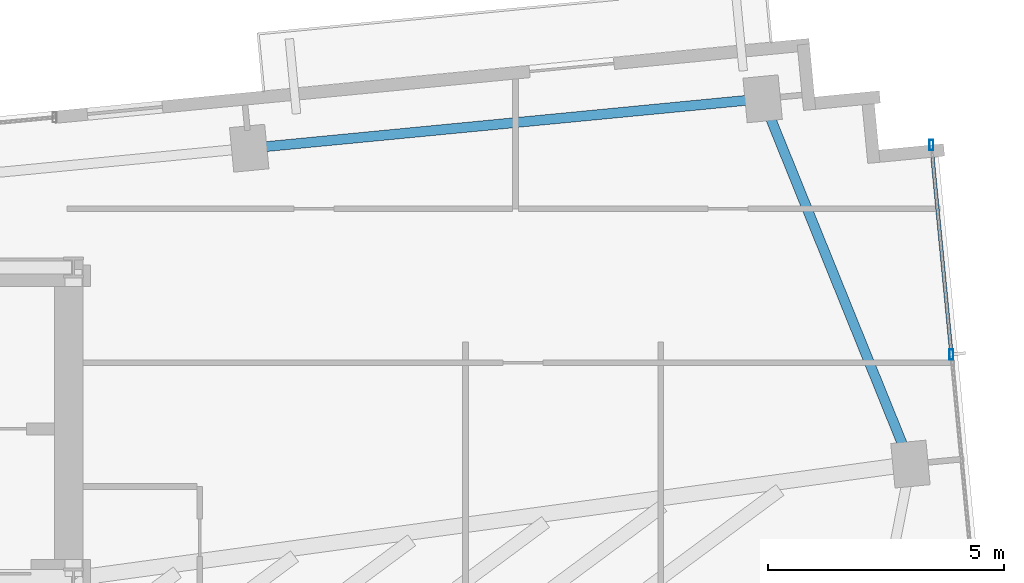
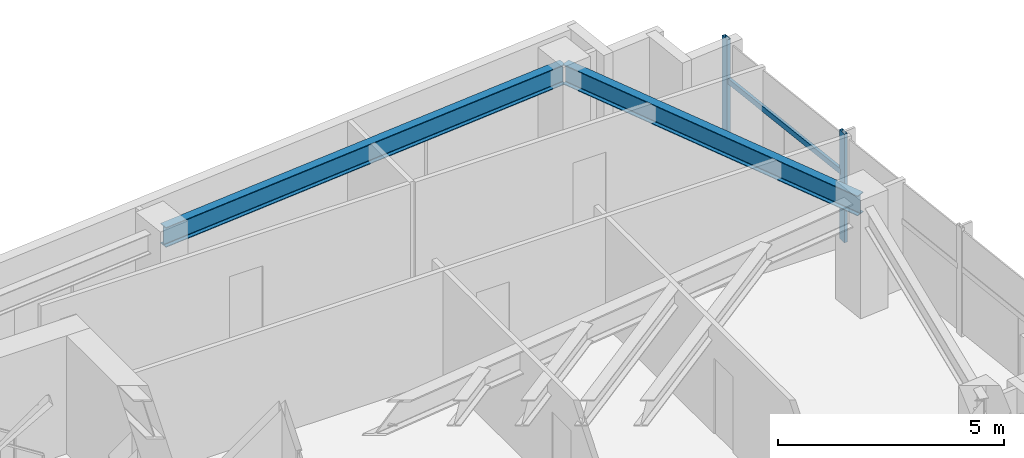
# One storey, part 11 of 18: 3 members, 2 beams, 1 element without a shape of its own.
"""IFC4 building model written with IfcOpenShell, lengths in metres."""

import ifcopenshell
import ifcopenshell.guid

model = None  # the IFC model being written
_history = None  # IfcOwnerHistory: only IFC2X3 demands one
_inside = {}  # id of a spatial element -> (the spatial element, [elements in it])
_under = {}  # id of a project, library or spatial element -> (it, [spatial elements below it])
_declared = {}  # id of a project -> (the project, [libraries it declares])
_typed = {}  # id of a type object -> (the type object, [elements of that type])
_made_of = {}  # id of a material, layer set ... -> (it, [elements and type objects made of it])


def new_model(schema):
    """Start an empty IFC model of exactly this schema.

    Asked for "IFC4X3", IfcOpenShell would pick the latest addendum, in which some entities
    have other attributes; the version numbers below select the first issue.
    IFC2X3 requires an IfcOwnerHistory on every rooted entity: one is made here for all.
    """
    global model, _history
    if schema == "IFC4X3":
        model = ifcopenshell.file(schema_version=(4, 3, 0, 0))
    else:
        model = ifcopenshell.file(schema=schema)
    _inside.clear()
    _under.clear()
    _declared.clear()
    _typed.clear()
    _made_of.clear()
    _history = None
    if model.schema == "IFC2X3":
        org = make("IfcOrganization", Name="unknown")
        user = make(
            "IfcPersonAndOrganization",
            ThePerson=make("IfcPerson", FamilyName="unknown"),
            TheOrganization=org,
        )
        app = make(
            "IfcApplication",
            ApplicationDeveloper=org,
            Version="unknown",
            ApplicationFullName="unknown",
            ApplicationIdentifier="unknown",
        )
        _history = make(
            "IfcOwnerHistory",
            OwningUser=user,
            OwningApplication=app,
            ChangeAction="ADDED",
            CreationDate=0,
        )
    return model


def make(cls, **values):
    """One entity of the class cls with the attributes given. An attribute that is None is left unset."""
    return model.create_entity(
        cls, **{name: value for name, value in values.items() if value is not None}
    )


def rooted(cls, **values):
    """An entity with a GlobalId (a new one), such as an element, a storey or a relation."""
    return make(cls, GlobalId=ifcopenshell.guid.new(), OwnerHistory=_history, **values)


def si_unit(unit_type, name, prefix=None):
    """IfcSIUnit, for example si_unit("LENGTHUNIT", "METRE", prefix="MILLI")."""
    return make("IfcSIUnit", UnitType=unit_type, Prefix=prefix, Name=name)


def assignment(units):
    """IfcUnitAssignment: the units of a project."""
    return None if units is None else make("IfcUnitAssignment", Units=units)


def point(xyz):
    """IfcCartesianPoint."""
    return None if xyz is None else make("IfcCartesianPoint", Coordinates=xyz)


def direction(xyz):
    """IfcDirection."""
    return None if xyz is None else make("IfcDirection", DirectionRatios=xyz)


def frame(location, z_axis=None, x_axis=None):
    """IfcAxis2Placement3D, a coordinate frame: its origin and axes. An axis left out is left unset."""
    return make(
        "IfcAxis2Placement3D",
        Location=point(location),
        Axis=direction(z_axis),
        RefDirection=direction(x_axis),
    )


def frame_2d(location, x_axis=None):
    """IfcAxis2Placement2D, a coordinate frame in the plane: its origin and x axis."""
    return make(
        "IfcAxis2Placement2D", Location=point(location), RefDirection=direction(x_axis)
    )


def origin():
    """The frame at (0, 0, 0) with its axes left unset."""
    return frame((0.0, 0.0, 0.0))


def origin_2d():
    """The frame at (0, 0) in the plane with its x axis left unset."""
    return frame_2d((0.0, 0.0))


def place(relative_to, where):
    """IfcLocalPlacement: puts the frame where relative to a parent placement (None: the world)."""
    return make(
        "IfcLocalPlacement", PlacementRelTo=relative_to, RelativePlacement=where
    )


def context(
    kind, dimensions, precision=None, world=None, true_north=None, identifier=None
):
    """IfcGeometricRepresentationContext, for example the 3D "Model" context."""
    return make(
        "IfcGeometricRepresentationContext",
        ContextIdentifier=identifier,
        ContextType=kind,
        CoordinateSpaceDimension=dimensions,
        Precision=precision,
        WorldCoordinateSystem=world,
        TrueNorth=true_north,
    )


def subcontext(parent, identifier, kind, view, scale=None):
    """IfcGeometricRepresentationSubContext, for example "Body" below "Model"."""
    return make(
        "IfcGeometricRepresentationSubContext",
        ContextIdentifier=identifier,
        ContextType=kind,
        ParentContext=parent,
        TargetScale=scale,
        TargetView=view,
    )


def project(units=None, contexts=None):
    """IfcProject with its units and contexts."""
    return rooted(
        "IfcProject",
        Name="project",
        RepresentationContexts=contexts,
        UnitsInContext=assignment(units),
    )


def spatial(cls, under=None, at=None, **own):
    """A site, building, storey or space (cls), placed at a placement, below another one or the project."""
    s = rooted(cls, ObjectPlacement=at, **own)
    if under is not None:
        _under.setdefault(under.id(), (under, []))[1].append(s)
    return s


def profile(cls, at=None, kind="AREA", **sizes):
    """A parametric profile (cls). Its sizes go by their IFC names, for example OverallWidth=200.0."""
    return make(cls, ProfileType=kind, Position=at, **sizes)


def hollow_rectangle(**sizes):
    """IfcRectangleHollowProfileDef."""
    return profile("IfcRectangleHollowProfileDef", **sizes)


def i_section(**sizes):
    """IfcIShapeProfileDef."""
    return profile("IfcIShapeProfileDef", **sizes)


def extrude(swept, where, along, depth):
    """IfcExtrudedAreaSolid: the profile swept, set in the frame where, extruded along a direction by depth."""
    return make(
        "IfcExtrudedAreaSolid",
        SweptArea=swept,
        Position=where,
        ExtrudedDirection=direction(along),
        Depth=depth,
    )


def shape(context_of_items, identifier, shape_type, items):
    """IfcShapeRepresentation: the items that make up one representation, for example the "Body"."""
    return make(
        "IfcShapeRepresentation",
        ContextOfItems=context_of_items,
        RepresentationIdentifier=identifier,
        RepresentationType=shape_type,
        Items=items,
    )


def source(mapping_origin, context_of_items, identifier, shape_type, items):
    """IfcRepresentationMap: a shape defined once, which mapped items show again and again."""
    return make(
        "IfcRepresentationMap",
        MappingOrigin=mapping_origin,
        MappedRepresentation=shape(context_of_items, identifier, shape_type, items),
    )


def transform(
    local_origin,
    x_axis=None,
    y_axis=None,
    z_axis=None,
    scale=None,
    scale2=None,
    scale3=None,
    uniform=True,
):
    """IfcCartesianTransformationOperator3D, or its non-uniform kind. x_axis, y_axis, z_axis: its Axis1, 2, 3."""
    if uniform:
        return make(
            "IfcCartesianTransformationOperator3D",
            Axis1=direction(x_axis),
            Axis2=direction(y_axis),
            LocalOrigin=point(local_origin),
            Scale=scale,
            Axis3=direction(z_axis),
        )
    return make(
        "IfcCartesianTransformationOperator3DnonUniform",
        Axis1=direction(x_axis),
        Axis2=direction(y_axis),
        LocalOrigin=point(local_origin),
        Scale=scale,
        Axis3=direction(z_axis),
        Scale2=scale2,
        Scale3=scale3,
    )


def mapped(mapping_source, mapping_target):
    """IfcMappedItem: shows the shape of a source again, moved by a transform."""
    return make(
        "IfcMappedItem", MappingSource=mapping_source, MappingTarget=mapping_target
    )


def material(Name=None, Category=None):
    """IfcMaterial."""
    return make("IfcMaterial", Name=Name, Category=Category)


def material_profile(
    of_material, cross_section, Name=None, Category=None, Priority=None
):
    """IfcMaterialProfile: a cross section and its material."""
    return make(
        "IfcMaterialProfile",
        Name=Name,
        Material=of_material,
        Profile=cross_section,
        Priority=Priority,
        Category=Category,
    )


def profile_set(profiles, Name=None, composite=None):
    """IfcMaterialProfileSet."""
    return make(
        "IfcMaterialProfileSet",
        Name=Name,
        MaterialProfiles=profiles,
        CompositeProfile=composite,
    )


def made_of(thing, what):
    """Note that an element or type object is made of a material, layer set ...; save() writes the relation."""
    if what is not None:
        _made_of.setdefault(what.id(), (what, []))[1].append(thing)
    return thing


def type_object(cls, material=None, **own):
    """A type object (cls), such as IfcWallType, which elements share."""
    return made_of(rooted(cls, **own), material)


def type_shapes(of_type, sources):
    """Give a type object the sources (RepresentationMaps) that its elements show as mapped items."""
    of_type.RepresentationMaps = sources


def element(
    cls,
    number,
    at=None,
    inside=None,
    cuts=None,
    type_object=None,
    material=None,
    context=None,
    identifier="Body",
    shape_type=None,
    held_by="IfcProductDefinitionShape",
    body=None,
    shapes=None,
    **own,
):
    """One element of the class cls, such as IfcWall. Its Tag is "e" and its number.

    at: its placement. inside: the storey or other place that contains it. cuts: it is an
    opening in that element (IfcRelVoidsElement). A single representation is given by context,
    identifier, shape_type and body (its items); several are given by shapes. held_by: the class
    of the entity that holds the representations. save() writes the other relations.
    """
    e = rooted(cls, Tag="e%d" % number, ObjectPlacement=at, **own)
    if body is not None:
        shapes = [shape(context, identifier, shape_type, body)]
    if shapes is not None:
        e.Representation = make(held_by, Representations=shapes)
    if inside is not None:
        _inside.setdefault(inside.id(), (inside, []))[1].append(e)
    if cuts is not None:
        rooted(
            "IfcRelVoidsElement", RelatingBuildingElement=cuts, RelatedOpeningElement=e
        )
    if type_object is not None:
        _typed.setdefault(type_object.id(), (type_object, []))[1].append(e)
    return made_of(e, material)


def aggregate(whole, parts):
    """IfcRelAggregates: a whole, such as a stair, and the parts it consists of."""
    return rooted("IfcRelAggregates", RelatingObject=whole, RelatedObjects=parts)


def save(model, path):
    """Write the relations noted so far, then the file.

    IfcRelAggregates (storeys below a building ...), IfcRelContainedInSpatialStructure (elements
    in a storey), IfcRelDefinesByType, IfcRelAssociatesMaterial and IfcRelDeclares: one each for
    every whole, place, type object, material and project.
    """
    for whole, parts in _under.values():
        aggregate(whole, parts)
    for where, things in _inside.values():
        rooted(
            "IfcRelContainedInSpatialStructure",
            RelatedElements=things,
            RelatingStructure=where,
        )
    for kind, things in _typed.values():
        rooted("IfcRelDefinesByType", RelatedObjects=things, RelatingType=kind)
    for what, things in _made_of.values():
        rooted("IfcRelAssociatesMaterial", RelatedObjects=things, RelatingMaterial=what)
    for by, libraries in _declared.values():
        rooted("IfcRelDeclares", RelatingContext=by, RelatedDefinitions=libraries)
    model.write(path)


model = new_model("IFC4")

# Units and contexts
model_context = context("Model", 3, precision=1e-05, world=origin(), true_north=direction((0.0, 1.0)))
body_context = subcontext(model_context, "Body", "Model", "MODEL_VIEW")
ifc_project = project(units=[si_unit("LENGTHUNIT", "METRE"), si_unit("AREAUNIT", "SQUARE_METRE"), si_unit("VOLUMEUNIT", "CUBIC_METRE"), si_unit("PLANEANGLEUNIT", "RADIAN"), si_unit("MASSUNIT", "GRAM", prefix="KILO")], contexts=[model_context])

# Site, building, storey
site_placement = place(None, origin())
site = spatial("IfcSite", under=ifc_project, at=site_placement, CompositionType="ELEMENT")
building_placement = place(site_placement, origin())
building = spatial("IfcBuilding", under=site, at=building_placement, Name="Astriad Promenade Condominiums", CompositionType="ELEMENT")
storey_placement = place(building_placement, frame((0.0, 0.0, 176.199951171875)))
storey = spatial("IfcBuildingStorey", under=building, at=storey_placement, Name="L50", CompositionType="ELEMENT", Elevation=176.199951171875)

# Beams
ifc_material_1 = material(Name="Steel ASTM A992 Grade 50", Category="steel")
ifc_material_profile_1 = material_profile(ifc_material_1, i_section(OverallWidth=0.210693359375, OverallDepth=0.53955078125, WebThickness=0.01171875, FlangeThickness=0.018798828125, FilletRadius=0.0166015625, at=origin_2d()), Name="W21X73")
ifc_profile_set_1 = profile_set([ifc_material_profile_1], Name="Steel ASTM A992 Grade 50")
beam_type = type_object("IfcBeamType", Name="STEEL SPANDREL BEAM W21X73", PredefinedType="SPANDREL", material=ifc_profile_set_1)
shared_shape_1 = source(origin(), body_context, "Body", "SweptSolid", [
    extrude(i_section(OverallWidth=0.210693359375, OverallDepth=0.53955078125, WebThickness=0.01171875, FlangeThickness=0.018798828125, FilletRadius=0.0166015625, at=origin_2d()), origin(), (0.0, 0.0, 1.0), 10.8701171875),
])
beam_1_placement = place(storey_placement, frame((60.190673828125, 27.578369140625, 2.670166015625), z_axis=(-0.995394986184, -0.09585834069, 0.0), x_axis=(0.09585834069, -0.995394986184, 0.0)))
element("IfcBeam", 1, at=beam_1_placement, inside=storey, type_object=beam_type, Name="Perimeter Spandrel Beam SP-N4-L50", PredefinedType="SPANDREL", context=body_context, shape_type="MappedRepresentation", body=[
    mapped(shared_shape_1, transform((0.0, 0.0, 0.0), scale=1.0)),
])
shared_shape_2 = source(origin(), body_context, "Body", "SweptSolid", [
    extrude(i_section(OverallWidth=0.210693359375, OverallDepth=0.53955078125, WebThickness=0.01171875, FlangeThickness=0.018798828125, FilletRadius=0.0166015625, at=origin_2d()), origin(), (0.0, 0.0, 1.0), 8.28564453125),
])
type_shapes(beam_type, [shared_shape_1, shared_shape_2])
beam_2_placement = place(storey_placement, frame((63.353271484375, 19.8642578125, 2.670166015625), z_axis=(-0.375070987134, 0.926996092014, 0.0), x_axis=(-0.926996092014, -0.375070987134, 0.0)))
element("IfcBeam", 2, at=beam_2_placement, inside=storey, type_object=beam_type, Name="Perimeter Spandrel Beam SP-E2-L50", PredefinedType="SPANDREL", context=body_context, shape_type="MappedRepresentation", body=[
    mapped(shared_shape_2, transform((0.0, 0.0, 0.0), scale=1.0)),
])

# Curtain wall, members
ifc_material_2 = material(Name="Anodised aluminium Black Dark Glass Unitised", Category="aluminium")
curtain_wall_type = type_object("IfcCurtainWallType", Name="CW-B34-DARK", PredefinedType="USERDEFINED", material=ifc_material_2)
curtain_wall_placement = place(storey_placement, origin())
curtain_wall = element("IfcCurtainWall", 3, at=curtain_wall_placement, inside=storey, type_object=curtain_wall_type, Name="CW-L50-E", ObjectType="UNITISED_CURTAIN_WALL", PredefinedType="USERDEFINED")
ifc_material_3 = material(Name="Anodised aluminium 6063-T6 Black", Category="aluminium")
ifc_material_profile_2 = material_profile(ifc_material_3, hollow_rectangle(XDim=0.0849609375, YDim=0.219970703125, WallThickness=0.0048828125, at=origin_2d()), Name="ALU-MUL-85X220")
ifc_profile_set_2 = profile_set([ifc_material_profile_2], Name="Anodised aluminium 6063-T6 Black")
member_type_1 = type_object("IfcMemberType", Name="MUL-ALU-MUL-85X220", PredefinedType="MULLION", material=ifc_profile_set_2)
shared_shape_3 = source(origin(), body_context, "Body", "SweptSolid", [
    extrude(hollow_rectangle(XDim=0.0849609375, YDim=0.219970703125, WallThickness=0.0048828125, at=origin_2d()), origin(), (0.0, 0.0, 1.0), 2.93994140625),
])
type_shapes(member_type_1, [shared_shape_3])
member_1_placement = place(storey_placement, frame((63.81103515625, 26.6005859375, 0.0), z_axis=(0.0, 0.0, 1.0), x_axis=(1.0, 0.0, 0.0)))
member_1 = element("IfcMember", 4, at=member_1_placement, type_object=member_type_1, Name="CW-L50-E-MUL-00", PredefinedType="MULLION", context=body_context, shape_type="MappedRepresentation", body=[
    mapped(shared_shape_3, transform((0.0, 0.0, 0.0), scale=1.0)),
])
member_2_placement = place(storey_placement, frame((64.239013671875, 22.154541015625, 0.0), z_axis=(0.0, 0.0, 1.0), x_axis=(1.0, 0.0, 0.0)))
member_2 = element("IfcMember", 5, at=member_2_placement, type_object=member_type_1, Name="CW-L50-E-MUL-01", PredefinedType="MULLION", context=body_context, shape_type="MappedRepresentation", body=[
    mapped(shared_shape_3, transform((0.0, 0.0, 0.0), scale=1.0)),
])
ifc_material_profile_3 = material_profile(ifc_material_3, hollow_rectangle(XDim=0.074951171875, YDim=0.14990234375, WallThickness=0.004150390625, at=origin_2d()), Name="ALU-TRN-75X150")
ifc_profile_set_3 = profile_set([ifc_material_profile_3], Name="Anodised aluminium 6063-T6 Black")
member_type_2 = type_object("IfcMemberType", Name="TRN-ALU-TRN-75X150", PredefinedType="USERDEFINED", material=ifc_profile_set_3)
shared_shape_4 = source(origin(), body_context, "Body", "SweptSolid", [
    extrude(hollow_rectangle(XDim=0.074951171875, YDim=0.14990234375, WallThickness=0.004150390625, at=origin_2d()), origin(), (0.0, 0.0, 1.0), 4.466552734375),
])
type_shapes(member_type_2, [shared_shape_4])
member_3_placement = place(storey_placement, frame((63.81103515625, 26.6005859375, 1.82275390625), z_axis=(0.095817598554, -0.995398908884, 0.0), x_axis=(0.995398908884, 0.095817598554, 0.0)))
member_3 = element("IfcMember", 6, at=member_3_placement, type_object=member_type_2, Name="CW-L50-E-TRN-00-0", ObjectType="TRANSOM", PredefinedType="USERDEFINED", context=body_context, shape_type="MappedRepresentation", body=[
    mapped(shared_shape_4, transform((0.0, 0.0, 0.0), scale=1.0)),
])
aggregate(curtain_wall, [member_1, member_2, member_3])

save(model, "model.ifc")
